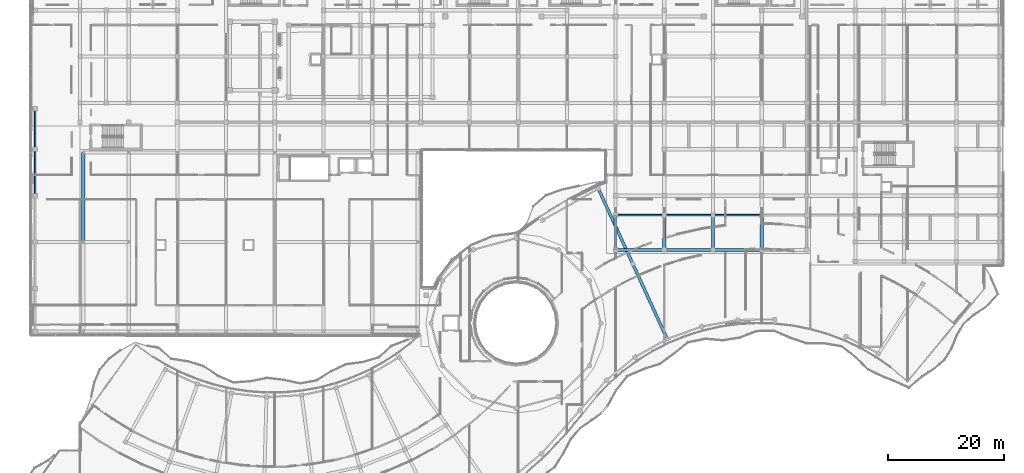
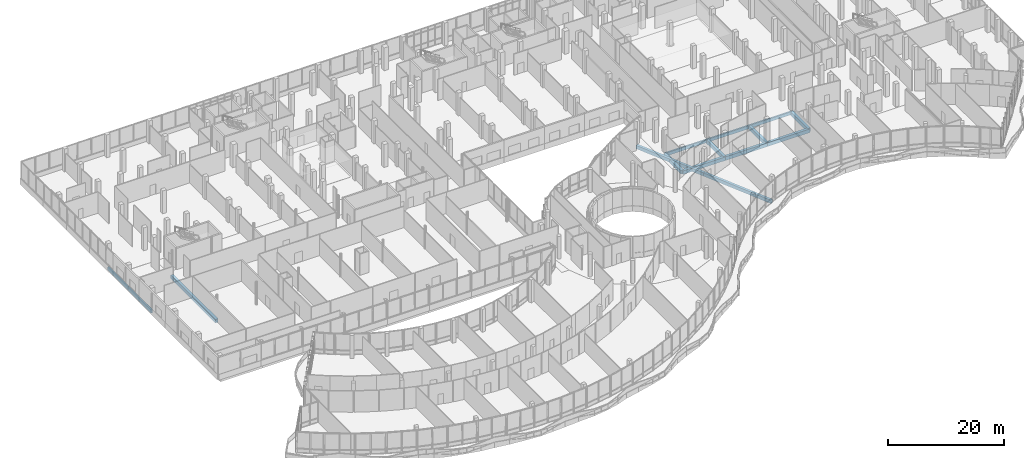
# One storey, part 56 of 155: 15 beams.
"""IFC4 building model written with IfcOpenShell, lengths in metres."""

from ifc_helpers import new_model, si_unit, direction, frame, origin, origin_2d, place, context, subcontext, project, spatial, rectangle, extrude, material, material_profile, profile_set, type_object, element, save


model = new_model("IFC4")

# Units and contexts
model_context = context("Model", 3, precision=1e-05, world=origin(), true_north=direction((0.0, 1.0)))
body_context = subcontext(model_context, "Body", "Model", "MODEL_VIEW")
ifc_project = project(units=[si_unit("LENGTHUNIT", "METRE"), si_unit("AREAUNIT", "SQUARE_METRE"), si_unit("VOLUMEUNIT", "CUBIC_METRE"), si_unit("PLANEANGLEUNIT", "RADIAN"), si_unit("MASSUNIT", "GRAM", prefix="KILO")], contexts=[model_context])

# Site, building, storey
site_placement = place(None, origin())
site = spatial("IfcSite", under=ifc_project, at=site_placement, CompositionType="ELEMENT")
building_placement = place(site_placement, origin())
building = spatial("IfcBuilding", under=site, at=building_placement, Name="Selatvlak General Hospital", CompositionType="ELEMENT")
storey_placement = place(building_placement, frame((0.0, 0.0, 10.199951171875)))
storey = spatial("IfcBuildingStorey", under=building, at=storey_placement, Name="L02", CompositionType="ELEMENT", Elevation=10.199951171875)

# Beams
ifc_material = material(Name="Concrete C40/50", Category="concrete")
ifc_material_profile_1 = material_profile(ifc_material, rectangle(XDim=0.550048828125, YDim=0.75, at=origin_2d()), Name="RC-BM 550x750")
ifc_profile_set_1 = profile_set([ifc_material_profile_1], Name="Concrete C40/50")
beam_type_1 = type_object("IfcBeamType", Name="BM-G02", PredefinedType="BEAM", material=ifc_profile_set_1)
beam_1_placement = place(storey_placement, frame((115.199951171875, 66.64990234375, -0.72998046875), z_axis=(1.0, 0.0, 0.0), x_axis=(0.0, 1.0, 0.0)))
element("IfcBeam", 1, at=beam_1_placement, inside=storey, type_object=beam_type_1, Name="Beam BMR-L02-0777", PredefinedType="BEAM", context=body_context, shape_type="SweptSolid", body=[
    extrude(rectangle(XDim=0.550048828125, YDim=0.75, at=origin_2d()), origin(), (0.0, 0.0, 1.0), 8.400146484375),
])
for number, where, z_axis, x_axis, name in (
    (2, (123.60009765625, 66.64990234375, -0.72998046875), (1.0, 0.0, 0.0), (0.0, 1.0, 0.0), "Beam BMR-L02-0778"),
    (3, (132.0, 66.64990234375, -0.72998046875), (1.0, 0.0, 0.0), (0.0, 1.0, 0.0), "Beam BMR-L02-0779"),
):
    element("IfcBeam", number, at=place(storey_placement, frame(where, z_axis=z_axis, x_axis=x_axis)), inside=storey, type_object=beam_type_1, Name=name, PredefinedType="BEAM", context=body_context, shape_type="SweptSolid", body=[
        extrude(rectangle(XDim=0.550048828125, YDim=0.75, at=origin_2d()), origin(), (0.0, 0.0, 1.0), 8.39990234375),
    ])
beam_2_placement = place(storey_placement, frame((23.35009765625, 68.0, -0.72998046875), z_axis=(0.0, 1.0, 0.0), x_axis=(-1.0, 0.0, 0.0)))
element("IfcBeam", 4, at=beam_2_placement, inside=storey, type_object=beam_type_1, Name="Beam BMR-L02-0935", PredefinedType="BEAM", context=body_context, shape_type="SweptSolid", body=[
    extrude(rectangle(XDim=0.550048828125, YDim=0.75, at=origin_2d()), origin(), (0.0, 0.0, 1.0), 15.449951171875),
])
for number, where, z_axis, x_axis, name in (
    (5, (115.199951171875, 66.64990234375, -0.72998046875), (0.0, 1.0, 0.0), (-1.0, 0.0, 0.0), "Beam BMR-L02-1004"),
    (6, (123.60009765625, 66.64990234375, -0.72998046875), (0.0, 1.0, 0.0), (-1.0, 0.0, 0.0), "Beam BMR-L02-1011"),
    (7, (132.0, 66.64990234375, -0.72998046875), (0.0, 1.0, 0.0), (-1.0, 0.0, 0.0), "Beam BMR-L02-1020"),
    (8, (140.39990234375, 66.64990234375, -0.72998046875), (0.0, 1.0, 0.0), (-1.0, 0.0, 0.0), "Beam BMR-L02-1028"),
):
    element("IfcBeam", number, at=place(storey_placement, frame(where, z_axis=z_axis, x_axis=x_axis)), inside=storey, type_object=beam_type_1, Name=name, PredefinedType="BEAM", context=body_context, shape_type="SweptSolid", body=[
        extrude(rectangle(XDim=0.550048828125, YDim=0.75, at=origin_2d()), origin(), (0.0, 0.0, 1.0), 6.0),
    ])
ifc_material_profile_2 = material_profile(ifc_material, rectangle(XDim=0.5, YDim=0.699951171875, at=origin_2d()), Name="RC-BM 500x700")
ifc_profile_set_2 = profile_set([ifc_material_profile_2], Name="Concrete C40/50")
beam_type_2 = type_object("IfcBeamType", Name="BM-G03", PredefinedType="BEAM", material=ifc_profile_set_2)
for number, where, z_axis, x_axis, name in (
    (9, (112.221923828125, 77.195068359375, -0.704833984375), (0.416220472097, -0.909263723354, 0.0), (0.909263723354, 0.416220472097, 0.0), "Beam BMR-L02-1121"),
    (10, (118.153076171875, 64.238037109375, -0.704833984375), (0.416206307352, -0.909270207211, 0.0), (0.909270207211, 0.416206307352, 0.0), "Beam BMR-L02-1122"),
):
    element("IfcBeam", number, at=place(storey_placement, frame(where, z_axis=z_axis, x_axis=x_axis)), inside=storey, type_object=beam_type_2, Name=name, PredefinedType="BEAM", context=body_context, shape_type="SweptSolid", body=[
        extrude(rectangle(XDim=0.5, YDim=0.699951171875, at=origin_2d()), origin(), (0.0, 0.0, 1.0), 14.25),
    ])
ifc_material_profile_3 = material_profile(ifc_material, rectangle(XDim=0.300048828125, YDim=0.64990234375, at=origin_2d()), Name="RC-SP 300x650")
ifc_profile_set_3 = profile_set([ifc_material_profile_3], Name="Concrete C40/50")
beam_type_3 = type_object("IfcBeamType", Name="BM-SP1", PredefinedType="SPANDREL", material=ifc_profile_set_3)
beam_3_placement = place(storey_placement, frame((115.199951171875, 72.64990234375, -0.679931640625), z_axis=(1.0, 0.0, 0.0), x_axis=(0.0, 1.0, 0.0)))
element("IfcBeam", 11, at=beam_3_placement, inside=storey, type_object=beam_type_3, Name="Beam BMR-L02-0790", PredefinedType="SPANDREL", context=body_context, shape_type="SweptSolid", body=[
    extrude(rectangle(XDim=0.300048828125, YDim=0.64990234375, at=origin_2d()), origin(), (0.0, 0.0, 1.0), 8.400146484375),
])
for number, where, z_axis, x_axis, name in (
    (12, (123.60009765625, 72.64990234375, -0.679931640625), (1.0, 0.0, 0.0), (0.0, 1.0, 0.0), "Beam BMR-L02-0791"),
    (13, (132.0, 72.64990234375, -0.679931640625), (1.0, 0.0, 0.0), (0.0, 1.0, 0.0), "Beam BMR-L02-0792"),
):
    element("IfcBeam", number, at=place(storey_placement, frame(where, z_axis=z_axis, x_axis=x_axis)), inside=storey, type_object=beam_type_3, Name=name, PredefinedType="SPANDREL", context=body_context, shape_type="SweptSolid", body=[
        extrude(rectangle(XDim=0.300048828125, YDim=0.64990234375, at=origin_2d()), origin(), (0.0, 0.0, 1.0), 8.39990234375),
    ])
beam_4_placement = place(storey_placement, frame((15.050048828125, 76.0, -0.679931640625), z_axis=(0.0, 1.0, 0.0), x_axis=(-1.0, 0.0, 0.0)))
element("IfcBeam", 14, at=beam_4_placement, inside=storey, type_object=beam_type_3, Name="Beam BMR-L02-0927", PredefinedType="SPANDREL", context=body_context, shape_type="SweptSolid", body=[
    extrude(rectangle(XDim=0.300048828125, YDim=0.64990234375, at=origin_2d()), origin(), (0.0, 0.0, 1.0), 8.0),
])
beam_5_placement = place(storey_placement, frame((15.050048828125, 84.0, -0.679931640625), z_axis=(0.0, 1.0, 0.0), x_axis=(-1.0, 0.0, 0.0)))
element("IfcBeam", 15, at=beam_5_placement, inside=storey, type_object=beam_type_3, Name="Beam BMR-L02-0928", PredefinedType="SPANDREL", context=body_context, shape_type="SweptSolid", body=[
    extrude(rectangle(XDim=0.300048828125, YDim=0.64990234375, at=origin_2d()), origin(), (0.0, 0.0, 1.0), 7.0),
])

save(model, "model.ifc")
